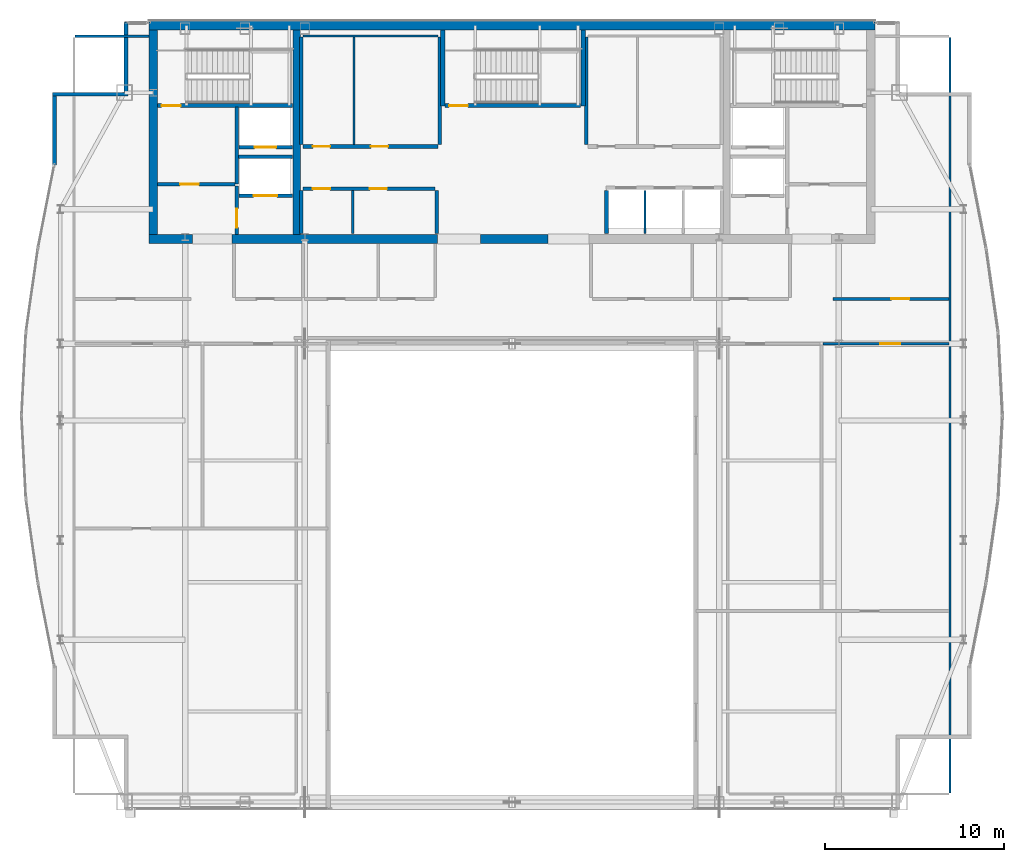
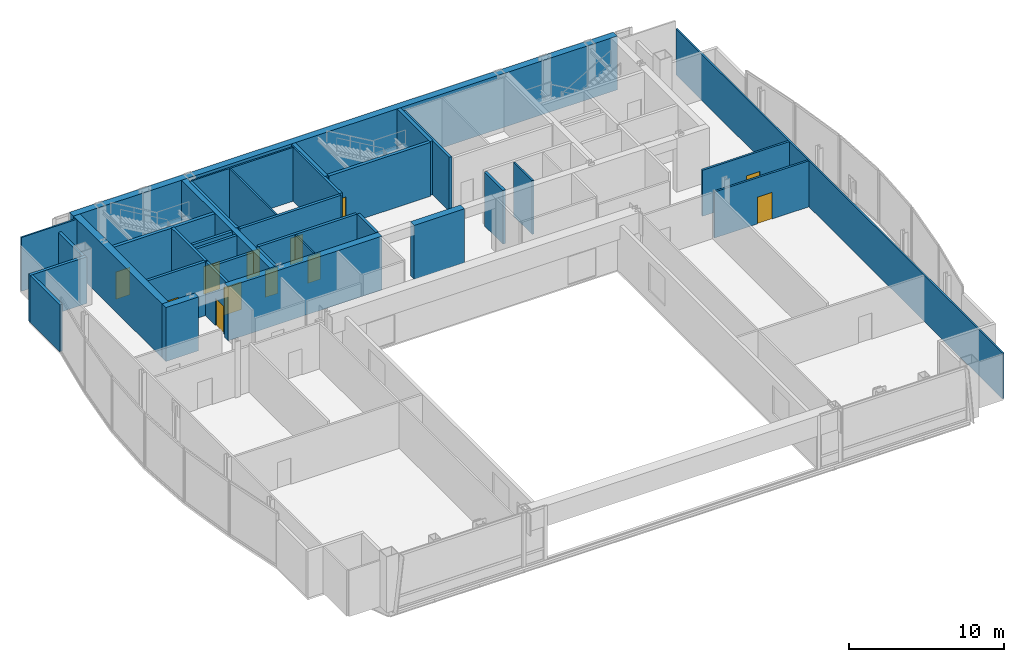
# One storey, part 23 of 27: 35 walls, 12 doors, 12 openings.
"""IFC4 building model written with IfcOpenShell, lengths in metres."""

from ifc_helpers import new_model, si_unit, direction, frame, frame_2d, origin, place, context, subcontext, project, spatial, rectangle, extrude, material, layer, layer_set, type_object, element, fill, save


model = new_model("IFC4")

# Units and contexts
model_context = context("Model", 3, precision=1e-05, world=origin(), true_north=direction((0.0, 1.0)))
body_context = subcontext(model_context, "Body", "Model", "MODEL_VIEW")
ifc_project = project(units=[si_unit("LENGTHUNIT", "METRE"), si_unit("AREAUNIT", "SQUARE_METRE"), si_unit("VOLUMEUNIT", "CUBIC_METRE"), si_unit("PLANEANGLEUNIT", "RADIAN"), si_unit("MASSUNIT", "GRAM", prefix="KILO")], contexts=[model_context])

# Site, building, storey
site_placement = place(None, origin())
site = spatial("IfcSite", under=ifc_project, at=site_placement, CompositionType="ELEMENT")
building_placement = place(site_placement, origin())
building = spatial("IfcBuilding", under=site, at=building_placement, Name="Khoronbel Lancet Exchange", CompositionType="ELEMENT")
storey_placement = place(building_placement, frame((0.0, 0.0, 310.199951171875)))
storey = spatial("IfcBuildingStorey", under=building, at=storey_placement, Name="L80", CompositionType="ELEMENT", Elevation=310.199951171875)

# Walls
ifc_material_1 = material(Name="Concrete C60/75", Category="concrete")
ifc_layer_1 = layer(ifc_material_1, 0.5, Name="Concrete C60/75")
ifc_layer_set_1 = layer_set([ifc_layer_1], Name="Concrete C60/75")
wall_type_1 = type_object("IfcWallType", Name="WL-CW4", PredefinedType="SHEAR", material=ifc_layer_set_1)
wall_1_placement = place(storey_placement, frame((16.199951171875, 53.449951171875, 0.0), z_axis=(0.0, 0.0, 1.0), x_axis=(1.0, 0.0, 0.0)))
element("IfcWall", 1, at=wall_1_placement, inside=storey, type_object=wall_type_1, Name="Level L80 rear core north shear wall", PredefinedType="SHEAR", context=body_context, shape_type="SweptSolid", body=[
    extrude(rectangle(XDim=40.5, YDim=0.5, at=frame_2d((20.25, 0.0))), origin(), (0.0, 0.0, 1.0), 4.239990234375),
])
wall_2_placement = place(storey_placement, frame((16.449951171875, 41.800048828125, 0.0), z_axis=(0.0, 0.0, 1.0), x_axis=(0.0, 1.0, 0.0)))
element("IfcWall", 2, at=wall_2_placement, inside=storey, type_object=wall_type_1, Name="Level L80 rear core west shear wall", PredefinedType="SHEAR", context=body_context, shape_type="SweptSolid", body=[
    extrude(rectangle(XDim=11.39990234375, YDim=0.5, at=frame_2d((5.699951171875, 0.0))), origin(), (0.0, 0.0, 1.0), 4.239990234375),
])
wall_3_placement = place(storey_placement, frame((18.64990234375, 41.550048828125, 0.0), z_axis=(0.0, 0.0, 1.0), x_axis=(-1.0, 0.0, 0.0)))
element("IfcWall", 3, at=wall_3_placement, inside=storey, type_object=wall_type_1, Name="Level L80 rear core south shear wall pier P1", PredefinedType="SHEAR", context=body_context, shape_type="SweptSolid", body=[
    extrude(rectangle(XDim=2.449951171875, YDim=0.5, at=frame_2d((1.22509765625, 0.0))), origin(), (0.0, 0.0, 1.0), 4.239990234375),
])
wall_4_placement = place(storey_placement, frame((32.300048828125, 41.550048828125, 0.0), z_axis=(0.0, 0.0, 1.0), x_axis=(-1.0, 0.0, 0.0)))
element("IfcWall", 4, at=wall_4_placement, inside=storey, type_object=wall_type_1, Name="Level L80 rear core south shear wall pier P2", PredefinedType="SHEAR", context=body_context, shape_type="SweptSolid", body=[
    extrude(rectangle(XDim=11.449951171875, YDim=0.5, at=frame_2d((5.72509765625, 0.0))), origin(), (0.0, 0.0, 1.0), 4.239990234375),
])
wall_5_placement = place(storey_placement, frame((38.449951171875, 41.550048828125, 0.0), z_axis=(0.0, 0.0, 1.0), x_axis=(-1.0, 0.0, 0.0)))
element("IfcWall", 5, at=wall_5_placement, inside=storey, type_object=wall_type_1, Name="Level L80 rear core south shear wall pier P3", PredefinedType="SHEAR", context=body_context, shape_type="SweptSolid", body=[
    extrude(rectangle(XDim=3.75, YDim=0.5, at=frame_2d((1.875, 0.0))), origin(), (0.0, 0.0, 1.0), 4.239990234375),
])
ifc_material_2 = material(Name="Precast concrete C40/50", Category="concrete")
ifc_layer_2 = layer(ifc_material_2, 0.25, Name="Precast concrete C40/50")
ifc_layer_set_2 = layer_set([ifc_layer_2], Name="Precast concrete C40/50")
wall_type_2 = type_object("IfcWallType", Name="WL-EXT250", PredefinedType="SOLIDWALL", material=ifc_layer_set_2)
wall_6_placement = place(storey_placement, frame((10.93994140625, 45.67138671875, 0.0), z_axis=(0.0, 0.0, 1.0), x_axis=(0.0, 1.0, 0.0)))
element("IfcWall", 6, at=wall_6_placement, inside=storey, type_object=wall_type_2, Name="Level L80 notched-corner limestone pier 10", PredefinedType="SOLIDWALL", context=body_context, shape_type="SweptSolid", body=[
    extrude(rectangle(XDim=3.82861328125, YDim=0.219970703125, at=frame_2d((1.914306640625, 0.0))), origin(), (0.0, 0.0, 1.0), 3.679931640625),
])
wall_7_placement = place(storey_placement, frame((10.830078125, 49.610107421875, 0.0), z_axis=(0.0, 0.0, 1.0), x_axis=(1.0, 0.0, 0.0)))
element("IfcWall", 7, at=wall_7_placement, inside=storey, type_object=wall_type_2, Name="Level L80 notched-corner limestone pier 11", PredefinedType="SOLIDWALL", context=body_context, shape_type="SweptSolid", body=[
    extrude(rectangle(XDim=4.219970703125, YDim=0.219970703125, at=frame_2d((2.10986328125, 0.0))), origin(), (0.0, 0.0, 1.0), 3.679931640625),
])
wall_8_placement = place(storey_placement, frame((14.93994140625, 49.719970703125, 0.0), z_axis=(0.0, 0.0, 1.0), x_axis=(0.0, 1.0, 0.0)))
element("IfcWall", 8, at=wall_8_placement, inside=storey, type_object=wall_type_2, Name="Level L80 notched-corner limestone pier 12", PredefinedType="SOLIDWALL", context=body_context, shape_type="SweptSolid", body=[
    extrude(rectangle(XDim=3.909912109375, YDim=0.219970703125, at=frame_2d((1.955078125, 0.0))), origin(), (0.0, 0.0, 1.0), 3.679931640625),
])
ifc_material_3 = material(Name="Acoustic Metal-Stud & Mineral-Wool Gypsum Partition 120 mm", Category="gypsum")
ifc_layer_3 = layer(ifc_material_3, 0.1201171875, Name="Acoustic Metal-Stud & Mineral-Wool Gypsum Partition 120 mm")
ifc_layer_set_3 = layer_set([ifc_layer_3], Name="Acoustic Metal-Stud & Mineral-Wool Gypsum Partition 120 mm")
wall_type_3 = type_object("IfcWallType", Name="WL-PRT120", PredefinedType="PARTITIONING", material=ifc_layer_set_3)
wall_9_placement = place(storey_placement, frame((60.8701171875, 10.6650390625, 0.0), z_axis=(0.0, 0.0, 1.0), x_axis=(0.0, 1.0, 0.0)))
element("IfcWall", 9, at=wall_9_placement, inside=storey, type_object=wall_type_3, Name="Level L80 interior partition PW-LIN-E", PredefinedType="PARTITIONING", context=body_context, shape_type="SweptSolid", body=[
    extrude(rectangle(XDim=42.10986328125, YDim=0.1201171875, at=frame_2d((21.054931640625, 0.0))), origin(), (0.0, 0.0, 1.0), 3.630126953125),
])
wall_10_placement = place(storey_placement, frame((12.094970703125, 52.840087890625, 0.0), z_axis=(0.0, 0.0, 1.0), x_axis=(1.0, 0.0, 0.0)))
element("IfcWall", 10, at=wall_10_placement, inside=storey, type_object=wall_type_3, Name="Level L80 interior partition PW-LIN-NW", PredefinedType="PARTITIONING", context=body_context, shape_type="SweptSolid", body=[
    extrude(rectangle(XDim=4.10498046875, YDim=0.1201171875, at=frame_2d((2.052490234375, 0.0))), origin(), (0.0, 0.0, 1.0), 4.239990234375),
])
ifc_material_4 = material(Name="Fire-Rated Metal-Stud & Mineral-Wool Gypsum Partition 120 mm", Category="gypsum")
ifc_layer_4 = layer(ifc_material_4, 0.1201171875, Name="Fire-Rated Metal-Stud & Mineral-Wool Gypsum Partition 120 mm")
ifc_layer_set_4 = layer_set([ifc_layer_4], Name="Fire-Rated Metal-Stud & Mineral-Wool Gypsum Partition 120 mm")
wall_type_4 = type_object("IfcWallType", Name="WL-PRT120F", PredefinedType="PARTITIONING", material=ifc_layer_set_4)
wall_11_placement = place(storey_placement, frame((24.804931640625, 52.860107421875, 0.0), z_axis=(0.0, 0.0, 1.0), x_axis=(1.0, 0.0, 0.0)))
element("IfcWall", 11, at=wall_11_placement, inside=storey, type_object=wall_type_4, Name="Level L80 interior partition CW-PL-RN", PredefinedType="PARTITIONING", context=body_context, shape_type="SweptSolid", body=[
    extrude(rectangle(XDim=7.510009765625, YDim=0.1201171875, at=frame_2d((3.7548828125, 0.0))), origin(), (0.0, 0.0, 1.0), 4.239990234375),
])
wall_12_placement = place(storey_placement, frame((27.633544921875, 46.804931640625, 0.0), z_axis=(0.0, 0.0, 1.0), x_axis=(0.0, 1.0, 0.0)))
element("IfcWall", 12, at=wall_12_placement, inside=storey, type_object=wall_type_4, Name="Level L80 interior partition CW-PL-RS1", PredefinedType="PARTITIONING", context=body_context, shape_type="SweptSolid", body=[
    extrude(rectangle(XDim=5.989990234375, YDim=0.1201171875, at=frame_2d((2.9951171875, 0.0))), origin(), (0.0, 0.0, 1.0), 4.239990234375),
])
wall_13_placement = place(storey_placement, frame((27.569091796875, 41.85009765625, 0.0), z_axis=(0.0, 0.0, 1.0), x_axis=(0.0, 1.0, 0.0)))
element("IfcWall", 13, at=wall_13_placement, inside=storey, type_object=wall_type_4, Name="Level L80 interior partition CW-PM-RS1", PredefinedType="PARTITIONING", context=body_context, shape_type="SweptSolid", body=[
    extrude(rectangle(XDim=2.39501953125, YDim=0.1201171875, at=frame_2d((1.197509765625, 0.0))), origin(), (0.0, 0.0, 1.0), 4.239990234375),
])
wall_14_placement = place(storey_placement, frame((43.860107421875, 41.85009765625, 0.0), z_axis=(0.0, 0.0, 1.0), x_axis=(0.0, 1.0, 0.0)))
element("IfcWall", 14, at=wall_14_placement, inside=storey, type_object=wall_type_4, Name="Level L80 interior partition CW-PX-D1", PredefinedType="PARTITIONING", context=body_context, shape_type="SweptSolid", body=[
    extrude(rectangle(XDim=2.39990234375, YDim=0.1201171875, at=frame_2d((1.199951171875, 0.0))), origin(), (0.0, 0.0, 1.0), 4.239990234375),
])

# Wall, opening, door
ifc_material_5 = material(Name="Fire-Rated Twin-Stud Acoustic Gypsum Partition 150 mm", Category="gypsum")
ifc_layer_5 = layer(ifc_material_5, 0.14990234375, Name="Fire-Rated Twin-Stud Acoustic Gypsum Partition 150 mm")
ifc_layer_set_5 = layer_set([ifc_layer_5], Name="Fire-Rated Twin-Stud Acoustic Gypsum Partition 150 mm")
wall_type_5 = type_object("IfcWallType", Name="WL-PRT150C", PredefinedType="PARTITIONING", material=ifc_layer_set_5)
wall_15_placement = place(storey_placement, frame((53.780029296875, 35.699951171875, 0.0), z_axis=(0.0, 0.0, 1.0), x_axis=(1.0, 0.0, 0.0)))
wall_15 = element("IfcWall", 15, at=wall_15_placement, inside=storey, type_object=wall_type_5, Name="Level L80 interior partition PW-WP-ES2", PredefinedType="PARTITIONING", context=body_context, shape_type="SweptSolid", body=[
    extrude(rectangle(XDim=7.02490234375, YDim=0.14990234375, at=frame_2d((3.512451171875, 0.0))), origin(), (0.0, 0.0, 1.0), 3.630126953125),
])
opening_1_placement = place(wall_15_placement, frame((3.199951171875, 0.0, 0.0)))
opening_1 = element("IfcOpeningElement", 16, at=opening_1_placement, cuts=wall_15, Name="Opening D6", PredefinedType="OPENING", context=body_context, shape_type="SweptSolid", body=[
    extrude(rectangle(XDim=1.10009765625, YDim=2.10009765625, at=frame_2d((0.550048828125, 1.050048828125))), frame((0.0, 0.0849609375, 0.0), z_axis=(0.0, -1.0, 0.0), x_axis=(1.0, 0.0, 0.0)), (0.0, 0.0, 1.0), 0.169921875),
])
ifc_material_6 = material(Name="Acoustic Bronze-Veneer Executive Suite Door", Category="wood")
door_type_1 = type_object("IfcDoorType", Name="DR-D6", OperationType="NOTDEFINED", PredefinedType="DOOR", material=ifc_material_6)
door_1_placement = place(opening_1_placement, origin())
door_1 = element("IfcDoor", 17, at=door_1_placement, inside=storey, type_object=door_type_1, Name="Portal east sovereign salon door L80-1", OperationType="SINGLE_SWING_RIGHT", OverallHeight=2.10009765625, OverallWidth=1.10009765625, PredefinedType="DOOR", context=body_context, shape_type="SweptSolid", body=[
    extrude(rectangle(XDim=1.10009765625, YDim=2.10009765625, at=frame_2d((0.550048828125, 1.050048828125))), frame((0.0, 0.02490234375, 0.0), z_axis=(0.0, -1.0, 0.0), x_axis=(1.0, 0.0, 0.0)), (0.0, 0.0, 1.0), 0.050048828125),
])
fill(opening_1, door_1)

wall_16_placement = place(storey_placement, frame((54.35009765625, 38.199951171875, 0.0), z_axis=(0.0, 0.0, 1.0), x_axis=(1.0, 0.0, 0.0)))
wall_16 = element("IfcWall", 18, at=wall_16_placement, inside=storey, type_object=wall_type_5, Name="Level L80 interior partition PW-WP-NE", PredefinedType="PARTITIONING", context=body_context, shape_type="SweptSolid", body=[
    extrude(rectangle(XDim=6.454833984375, YDim=0.14990234375, at=frame_2d((3.2275390625, 0.0))), origin(), (0.0, 0.0, 1.0), 3.630126953125),
])
opening_2_placement = place(wall_16_placement, frame((3.25, 0.0, 0.0)))
opening_2 = element("IfcOpeningElement", 19, at=opening_2_placement, cuts=wall_16, Name="Opening D2", PredefinedType="OPENING", context=body_context, shape_type="SweptSolid", body=[
    extrude(rectangle(XDim=1.0, YDim=2.050048828125, at=frame_2d((0.5, 1.02490234375))), frame((0.0, 0.0849609375, 0.0), z_axis=(0.0, -1.0, 0.0), x_axis=(1.0, 0.0, 0.0)), (0.0, 0.0, 1.0), 0.169921875),
])
ifc_material_7 = material(Name="Acoustic Veneered Timber & Bronze Frame Door", Category="wood")
door_type_2 = type_object("IfcDoorType", Name="DR-D2", OperationType="NOTDEFINED", PredefinedType="DOOR", material=ifc_material_7)
door_2_placement = place(opening_2_placement, origin())
door_2 = element("IfcDoor", 20, at=door_2_placement, inside=storey, type_object=door_type_2, Name="NE suite door L80-1", OperationType="SINGLE_SWING_RIGHT", OverallHeight=2.050048828125, OverallWidth=1.0, PredefinedType="DOOR", context=body_context, shape_type="SweptSolid", body=[
    extrude(rectangle(XDim=1.0, YDim=2.050048828125, at=frame_2d((0.5, 1.02490234375))), frame((0.0, 0.02490234375, 0.0), z_axis=(0.0, -1.0, 0.0), x_axis=(1.0, 0.0, 0.0)), (0.0, 0.0, 1.0), 0.050048828125),
])
fill(opening_2, door_2)

ifc_material_8 = material(Name="Autoclaved Aerated Concrete Blockwork 200 mm", Category="masonry")
ifc_layer_6 = layer(ifc_material_8, 0.199951171875, Name="Autoclaved Aerated Concrete Blockwork 200 mm")
ifc_layer_set_6 = layer_set([ifc_layer_6], Name="Autoclaved Aerated Concrete Blockwork 200 mm")
wall_type_6 = type_object("IfcWallType", Name="WL-PRT200", PredefinedType="PARTITIONING", material=ifc_layer_set_6)
wall_17_placement = place(storey_placement, frame((24.2099609375, 43.949951171875, 0.0), z_axis=(0.0, 0.0, 1.0), x_axis=(-1.0, 0.0, 0.0)))
wall_17 = element("IfcWall", 21, at=wall_17_placement, inside=storey, type_object=wall_type_6, Name="Level L80 elevator hoistway landing front wall SVLW", PredefinedType="PARTITIONING", context=body_context, shape_type="SweptSolid", body=[
    extrude(rectangle(XDim=2.969970703125, YDim=0.199951171875, at=frame_2d((1.48486328125, 0.0))), origin(), (0.0, 0.0, 1.0), 4.239990234375),
])
opening_3_placement = place(wall_17_placement, frame((0.860107421875, 0.0, 0.0)))
opening_3 = element("IfcOpeningElement", 22, at=opening_3_placement, cuts=wall_17, Name="Opening LD-SVL1", PredefinedType="OPENING", context=body_context, shape_type="SweptSolid", body=[
    extrude(rectangle(XDim=1.300048828125, YDim=2.179931640625, at=frame_2d((0.64990234375, 1.08984375))), frame((0.0, 0.10986328125, 0.0), z_axis=(0.0, -1.0, 0.0), x_axis=(1.0, 0.0, 0.0)), (0.0, 0.0, 1.0), 0.219970703125),
])
ifc_material_9 = material(Name="Heavy-Duty Bi-Parting Goods Lift Landing Door", Category="steel")
door_type_3 = type_object("IfcDoorType", Name="DR-LD-SVL", OperationType="NOTDEFINED", PredefinedType="DOOR", material=ifc_material_9)
door_3_placement = place(opening_3_placement, origin())
door_3 = element("IfcDoor", 23, at=door_3_placement, inside=storey, type_object=door_type_3, Name="Elevator landing sliding door LD-SVL1 L80", OperationType="SLIDING_TO_LEFT", OverallHeight=2.179931640625, OverallWidth=1.300048828125, PredefinedType="DOOR", context=body_context, shape_type="SweptSolid", body=[
    extrude(rectangle(XDim=1.300048828125, YDim=2.179931640625, at=frame_2d((0.64990234375, 1.08984375))), frame((0.0, 0.02490234375, 0.0), z_axis=(0.0, -1.0, 0.0), x_axis=(1.0, 0.0, 0.0)), (0.0, 0.0, 1.0), 0.050048828125),
])
fill(opening_3, door_3)

wall_18_placement = place(storey_placement, frame((24.2099609375, 46.64990234375, 0.0), z_axis=(0.0, 0.0, 1.0), x_axis=(-1.0, 0.0, 0.0)))
wall_18 = element("IfcWall", 24, at=wall_18_placement, inside=storey, type_object=wall_type_6, Name="Level L80 elevator hoistway landing front wall FFLW", PredefinedType="PARTITIONING", context=body_context, shape_type="SweptSolid", body=[
    extrude(rectangle(XDim=2.969970703125, YDim=0.199951171875, at=frame_2d((1.48486328125, 0.0))), origin(), (0.0, 0.0, 1.0), 4.239990234375),
])
opening_4_placement = place(wall_18_placement, frame((0.909912109375, 0.0, 0.0)))
opening_4 = element("IfcOpeningElement", 25, at=opening_4_placement, cuts=wall_18, Name="Opening LD-FFL1", PredefinedType="OPENING", context=body_context, shape_type="SweptSolid", body=[
    extrude(rectangle(XDim=1.199951171875, YDim=2.179931640625, at=frame_2d((0.60009765625, 1.08984375))), frame((0.0, 0.10986328125, 0.0), z_axis=(0.0, -1.0, 0.0), x_axis=(1.0, 0.0, 0.0)), (0.0, 0.0, 1.0), 0.219970703125),
])
ifc_material_10 = material(Name="Fire-Rated Stainless Bi-Parting Firefighting Lift Door", Category="steel")
door_type_4 = type_object("IfcDoorType", Name="DR-LD-FFL", OperationType="NOTDEFINED", PredefinedType="DOOR", material=ifc_material_10)
door_4_placement = place(opening_4_placement, origin())
door_4 = element("IfcDoor", 26, at=door_4_placement, inside=storey, type_object=door_type_4, Name="Elevator landing sliding door LD-FFL1 L80", OperationType="SLIDING_TO_LEFT", OverallHeight=2.179931640625, OverallWidth=1.199951171875, PredefinedType="DOOR", context=body_context, shape_type="SweptSolid", body=[
    extrude(rectangle(XDim=1.199951171875, YDim=2.179931640625, at=frame_2d((0.60009765625, 1.08984375))), frame((0.0, 0.02490234375, 0.0), z_axis=(0.0, -1.0, 0.0), x_axis=(1.0, 0.0, 0.0)), (0.0, 0.0, 1.0), 0.050048828125),
])
fill(opening_4, door_4)

# Wall
wall_19_placement = place(storey_placement, frame((21.10009765625, 44.60009765625, 0.0), z_axis=(0.0, 0.0, 1.0), x_axis=(0.0, 1.0, 0.0)))
element("IfcWall", 27, at=wall_19_placement, inside=storey, type_object=wall_type_6, Name="Level L80 interior partition CW-FFLW-E", PredefinedType="PARTITIONING", context=body_context, shape_type="SweptSolid", body=[
    extrude(rectangle(XDim=4.2998046875, YDim=0.199951171875, at=frame_2d((2.14990234375, 0.0))), origin(), (0.0, 0.0, 1.0), 4.239990234375),
])

# Wall, opening, door
wall_20_placement = place(storey_placement, frame((16.699951171875, 44.60009765625, 0.0), z_axis=(0.0, 0.0, 1.0), x_axis=(1.0, 0.0, 0.0)))
wall_20 = element("IfcWall", 28, at=wall_20_placement, inside=storey, type_object=wall_type_6, Name="Level L80 interior partition CW-FFLW-S", PredefinedType="PARTITIONING", context=body_context, shape_type="SweptSolid", body=[
    extrude(rectangle(XDim=4.300048828125, YDim=0.199951171875, at=frame_2d((2.14990234375, 0.0))), origin(), (0.0, 0.0, 1.0), 4.239990234375),
])
opening_5_placement = place(wall_20_placement, frame((1.25, 0.0, 0.0)))
opening_5 = element("IfcOpeningElement", 29, at=opening_5_placement, cuts=wall_20, Name="Opening FD1", PredefinedType="OPENING", context=body_context, shape_type="SweptSolid", body=[
    extrude(rectangle(XDim=1.050048828125, YDim=2.14990234375, at=frame_2d((0.52490234375, 1.074951171875))), frame((0.0, 0.10986328125, 0.0), z_axis=(0.0, -1.0, 0.0), x_axis=(1.0, 0.0, 0.0)), (0.0, 0.0, 1.0), 0.219970703125),
])
ifc_material_11 = material(Name="Fire-Rated Painted Steel Door Assembly", Category="steel")
door_type_5 = type_object("IfcDoorType", Name="DR-FD1", OperationType="NOTDEFINED", PredefinedType="DOOR", material=ifc_material_11)
door_5_placement = place(opening_5_placement, origin())
door_5 = element("IfcDoor", 30, at=door_5_placement, inside=storey, type_object=door_type_5, Name="West firefighting lobby FD90S door L80-1", OperationType="SINGLE_SWING_RIGHT", OverallHeight=2.14990234375, OverallWidth=1.050048828125, PredefinedType="DOOR", context=body_context, shape_type="SweptSolid", body=[
    extrude(rectangle(XDim=1.050048828125, YDim=2.14990234375, at=frame_2d((0.52490234375, 1.074951171875))), frame((0.0, 0.02490234375, 0.0), z_axis=(0.0, -1.0, 0.0), x_axis=(1.0, 0.0, 0.0)), (0.0, 0.0, 1.0), 0.050048828125),
])
fill(opening_5, door_5)

# Wall
wall_21_placement = place(storey_placement, frame((21.199951171875, 46.1201171875, 0.0), z_axis=(0.0, 0.0, 1.0), x_axis=(1.0, 0.0, 0.0)))
element("IfcWall", 31, at=wall_21_placement, inside=storey, type_object=wall_type_6, Name="Level L80 interior partition CW-FFL1-S", PredefinedType="PARTITIONING", context=body_context, shape_type="SweptSolid", body=[
    extrude(rectangle(XDim=3.02001953125, YDim=0.199951171875, at=frame_2d((1.510009765625, 0.0))), origin(), (0.0, 0.0, 1.0), 4.239990234375),
])

# Wall, opening, door
wall_22_placement = place(storey_placement, frame((21.10009765625, 41.800048828125, 0.0), z_axis=(0.0, 0.0, 1.0), x_axis=(0.0, 1.0, 0.0)))
wall_22 = element("IfcWall", 32, at=wall_22_placement, inside=storey, type_object=wall_type_6, Name="Level L80 interior partition CW-SVLW-W", PredefinedType="PARTITIONING", context=body_context, shape_type="SweptSolid", body=[
    extrude(rectangle(XDim=2.695068359375, YDim=0.199951171875, at=frame_2d((1.34765625, 0.0))), origin(), (0.0, 0.0, 1.0), 4.239990234375),
])
opening_6_placement = place(wall_22_placement, frame((0.3798828125, 0.0, 0.0)))
opening_6 = element("IfcOpeningElement", 33, at=opening_6_placement, cuts=wall_22, Name="Opening FD1", PredefinedType="OPENING", context=body_context, shape_type="SweptSolid", body=[
    extrude(rectangle(XDim=1.050048828125, YDim=2.14990234375, at=frame_2d((0.52490234375, 1.074951171875))), frame((0.0, 0.10986328125, 0.0), z_axis=(0.0, -1.0, 0.0), x_axis=(1.0, 0.0, 0.0)), (0.0, 0.0, 1.0), 0.219970703125),
])
door_6_placement = place(opening_6_placement, origin())
door_6 = element("IfcDoor", 34, at=door_6_placement, inside=storey, type_object=door_type_5, Name="West service lift lobby door L80-1", OperationType="SINGLE_SWING_LEFT", OverallHeight=2.14990234375, OverallWidth=1.050048828125, PredefinedType="DOOR", context=body_context, shape_type="SweptSolid", body=[
    extrude(rectangle(XDim=1.050048828125, YDim=2.14990234375, at=frame_2d((0.52490234375, 1.074951171875))), frame((0.0, 0.02490234375, 0.0), z_axis=(0.0, -1.0, 0.0), x_axis=(1.0, 0.0, 0.0)), (0.0, 0.0, 1.0), 0.050048828125),
])
fill(opening_6, door_6)

# Walls
for number, where, z_axis, x_axis, name in (
    (35, (24.699951171875, 46.804931640625, 0.0), (0.0, 0.0, 1.0), (0.0, 1.0, 0.0), "Level L80 interior partition CW-PL-RW"),
    (36, (32.419921875, 46.804931640625, 0.0), (0.0, 0.0, 1.0), (0.0, 1.0, 0.0), "Level L80 interior partition CW-PL-RE"),
):
    element("IfcWall", number, at=place(storey_placement, frame(where, z_axis=z_axis, x_axis=x_axis)), inside=storey, type_object=wall_type_6, Name=name, PredefinedType="PARTITIONING", context=body_context, shape_type="SweptSolid", body=[
        extrude(rectangle(XDim=5.989990234375, YDim=0.199951171875, at=frame_2d((2.9951171875, 0.0))), origin(), (0.0, 0.0, 1.0), 4.239990234375),
    ])

# Wall, openings, doors
wall_23_placement = place(storey_placement, frame((24.804931640625, 46.699951171875, 0.0), z_axis=(0.0, 0.0, 1.0), x_axis=(1.0, 0.0, 0.0)))
wall_23 = element("IfcWall", 37, at=wall_23_placement, inside=storey, type_object=wall_type_6, Name="Level L80 interior partition CW-PL-RF", PredefinedType="PARTITIONING", context=body_context, shape_type="SweptSolid", body=[
    extrude(rectangle(XDim=7.510009765625, YDim=0.199951171875, at=frame_2d((3.7548828125, 0.0))), origin(), (0.0, 0.0, 1.0), 4.239990234375),
])
opening_7_placement = place(wall_23_placement, frame((0.550048828125, 0.0, 0.0)))
opening_7 = element("IfcOpeningElement", 38, at=opening_7_placement, cuts=wall_23, Name="Opening FD3", PredefinedType="OPENING", context=body_context, shape_type="SweptSolid", body=[
    extrude(rectangle(XDim=0.949951171875, YDim=2.10009765625, at=frame_2d((0.47509765625, 1.050048828125))), frame((0.0, 0.10986328125, 0.0), z_axis=(0.0, -1.0, 0.0), x_axis=(1.0, 0.0, 0.0)), (0.0, 0.0, 1.0), 0.219970703125),
])
opening_8_placement = place(wall_23_placement, frame((3.78369140625, 0.0, 0.0)))
opening_8 = element("IfcOpeningElement", 39, at=opening_8_placement, cuts=wall_23, Name="Opening FD3", PredefinedType="OPENING", context=body_context, shape_type="SweptSolid", body=[
    extrude(rectangle(XDim=0.949951171875, YDim=2.10009765625, at=frame_2d((0.47509765625, 1.050048828125))), frame((0.0, 0.10986328125, 0.0), z_axis=(0.0, -1.0, 0.0), x_axis=(1.0, 0.0, 0.0)), (0.0, 0.0, 1.0), 0.219970703125),
])
ifc_material_12 = material(Name="Fire-Rated Steel Plant & Riser Door Assembly", Category="steel")
door_type_6 = type_object("IfcDoorType", Name="DR-FD3", OperationType="NOTDEFINED", PredefinedType="DOOR", material=ifc_material_12)
door_7_placement = place(opening_7_placement, origin())
door_7 = element("IfcDoor", 40, at=door_7_placement, inside=storey, type_object=door_type_6, Name="Reclaimed PL A door L80-1", OperationType="SINGLE_SWING_RIGHT", OverallHeight=2.10009765625, OverallWidth=0.949951171875, PredefinedType="DOOR", context=body_context, shape_type="SweptSolid", body=[
    extrude(rectangle(XDim=0.949951171875, YDim=2.10009765625, at=frame_2d((0.47509765625, 1.050048828125))), frame((0.0, 0.02490234375, 0.0), z_axis=(0.0, -1.0, 0.0), x_axis=(1.0, 0.0, 0.0)), (0.0, 0.0, 1.0), 0.050048828125),
])
fill(opening_7, door_7)
door_8_placement = place(opening_8_placement, origin())
door_8 = element("IfcDoor", 41, at=door_8_placement, inside=storey, type_object=door_type_6, Name="Reclaimed PL B door L80-2", OperationType="SINGLE_SWING_LEFT", OverallHeight=2.10009765625, OverallWidth=0.949951171875, PredefinedType="DOOR", context=body_context, shape_type="SweptSolid", body=[
    extrude(rectangle(XDim=0.949951171875, YDim=2.10009765625, at=frame_2d((0.47509765625, 1.050048828125))), frame((0.0, 0.02490234375, 0.0), z_axis=(0.0, -1.0, 0.0), x_axis=(1.0, 0.0, 0.0)), (0.0, 0.0, 1.0), 0.050048828125),
])
fill(opening_8, door_8)

# Walls
for number, where, z_axis, x_axis, name in (
    (42, (24.699951171875, 41.85009765625, 0.0), (0.0, 0.0, 1.0), (0.0, 1.0, 0.0), "Level L80 interior partition CW-PM-RW"),
    (43, (32.25, 41.85009765625, 0.0), (0.0, 0.0, 1.0), (0.0, 1.0, 0.0), "Level L80 interior partition CW-PM-RE"),
):
    element("IfcWall", number, at=place(storey_placement, frame(where, z_axis=z_axis, x_axis=x_axis)), inside=storey, type_object=wall_type_6, Name=name, PredefinedType="PARTITIONING", context=body_context, shape_type="SweptSolid", body=[
        extrude(rectangle(XDim=2.39501953125, YDim=0.199951171875, at=frame_2d((1.197509765625, 0.0))), origin(), (0.0, 0.0, 1.0), 4.239990234375),
    ])

# Wall, openings, doors
wall_24_placement = place(storey_placement, frame((24.804931640625, 44.35009765625, 0.0), z_axis=(0.0, 0.0, 1.0), x_axis=(1.0, 0.0, 0.0)))
wall_24 = element("IfcWall", 44, at=wall_24_placement, inside=storey, type_object=wall_type_6, Name="Level L80 interior partition CW-PM-RF", PredefinedType="PARTITIONING", context=body_context, shape_type="SweptSolid", body=[
    extrude(rectangle(XDim=7.340087890625, YDim=0.199951171875, at=frame_2d((3.669921875, 0.0))), origin(), (0.0, 0.0, 1.0), 4.239990234375),
])
opening_9_placement = place(wall_24_placement, frame((0.550048828125, 0.0, 0.0)))
opening_9 = element("IfcOpeningElement", 45, at=opening_9_placement, cuts=wall_24, Name="Opening FD3", PredefinedType="OPENING", context=body_context, shape_type="SweptSolid", body=[
    extrude(rectangle(XDim=0.949951171875, YDim=2.10009765625, at=frame_2d((0.47509765625, 1.050048828125))), frame((0.0, 0.10986328125, 0.0), z_axis=(0.0, -1.0, 0.0), x_axis=(1.0, 0.0, 0.0)), (0.0, 0.0, 1.0), 0.219970703125),
])
opening_10_placement = place(wall_24_placement, frame((3.718994140625, 0.0, 0.0)))
opening_10 = element("IfcOpeningElement", 46, at=opening_10_placement, cuts=wall_24, Name="Opening FD3", PredefinedType="OPENING", context=body_context, shape_type="SweptSolid", body=[
    extrude(rectangle(XDim=0.949951171875, YDim=2.10009765625, at=frame_2d((0.47509765625, 1.050048828125))), frame((0.0, 0.10986328125, 0.0), z_axis=(0.0, -1.0, 0.0), x_axis=(1.0, 0.0, 0.0)), (0.0, 0.0, 1.0), 0.219970703125),
])
door_9_placement = place(opening_9_placement, origin())
door_9 = element("IfcDoor", 47, at=door_9_placement, inside=storey, type_object=door_type_6, Name="Reclaimed PM A door L80-1", OperationType="SINGLE_SWING_RIGHT", OverallHeight=2.10009765625, OverallWidth=0.949951171875, PredefinedType="DOOR", context=body_context, shape_type="SweptSolid", body=[
    extrude(rectangle(XDim=0.949951171875, YDim=2.10009765625, at=frame_2d((0.47509765625, 1.050048828125))), frame((0.0, 0.02490234375, 0.0), z_axis=(0.0, -1.0, 0.0), x_axis=(1.0, 0.0, 0.0)), (0.0, 0.0, 1.0), 0.050048828125),
])
fill(opening_9, door_9)
door_10_placement = place(opening_10_placement, origin())
door_10 = element("IfcDoor", 48, at=door_10_placement, inside=storey, type_object=door_type_6, Name="Reclaimed PM B door L80-2", OperationType="SINGLE_SWING_LEFT", OverallHeight=2.10009765625, OverallWidth=0.949951171875, PredefinedType="DOOR", context=body_context, shape_type="SweptSolid", body=[
    extrude(rectangle(XDim=0.949951171875, YDim=2.10009765625, at=frame_2d((0.47509765625, 1.050048828125))), frame((0.0, 0.02490234375, 0.0), z_axis=(0.0, -1.0, 0.0), x_axis=(1.0, 0.0, 0.0)), (0.0, 0.0, 1.0), 0.050048828125),
])
fill(opening_10, door_10)

# Walls
wall_25_placement = place(storey_placement, frame((40.580078125, 46.804931640625, 0.0), z_axis=(0.0, 0.0, 1.0), x_axis=(0.0, 1.0, 0.0)))
element("IfcWall", 49, at=wall_25_placement, inside=storey, type_object=wall_type_6, Name="Level L80 interior partition CW-PH-RW", PredefinedType="PARTITIONING", context=body_context, shape_type="SweptSolid", body=[
    extrude(rectangle(XDim=5.989990234375, YDim=0.199951171875, at=frame_2d((2.9951171875, 0.0))), origin(), (0.0, 0.0, 1.0), 4.239990234375),
])
wall_26_placement = place(storey_placement, frame((41.719970703125, 41.85009765625, 0.0), z_axis=(0.0, 0.0, 1.0), x_axis=(0.0, 1.0, 0.0)))
element("IfcWall", 50, at=wall_26_placement, inside=storey, type_object=wall_type_6, Name="Level L80 interior partition CW-PX-W", PredefinedType="PARTITIONING", context=body_context, shape_type="SweptSolid", body=[
    extrude(rectangle(XDim=2.39990234375, YDim=0.199951171875, at=frame_2d((1.199951171875, 0.0))), origin(), (0.0, 0.0, 1.0), 4.239990234375),
])
ifc_layer_7 = layer(ifc_material_1, 0.39990234375, Name="Concrete C60/75")
ifc_layer_set_7 = layer_set([ifc_layer_7], Name="Concrete C60/75")
wall_type_7 = type_object("IfcWallType", Name="WL-SW2", PredefinedType="SHEAR", material=ifc_layer_set_7)
wall_27_placement = place(storey_placement, frame((24.449951171875, 41.800048828125, 0.0), z_axis=(0.0, 0.0, 1.0), x_axis=(0.0, 1.0, 0.0)))
element("IfcWall", 51, at=wall_27_placement, inside=storey, type_object=wall_type_7, Name="Level L80 rear core internal spine shear wall IW", PredefinedType="SHEAR", context=body_context, shape_type="SweptSolid", body=[
    extrude(rectangle(XDim=11.39990234375, YDim=0.39990234375, at=frame_2d((5.699951171875, 0.0))), origin(), (0.0, 0.0, 1.0), 4.239990234375),
])
ifc_layer_8 = layer(ifc_material_1, 0.260009765625, Name="Concrete C60/75")
ifc_layer_set_8 = layer_set([ifc_layer_8], Name="Concrete C60/75")
wall_type_8 = type_object("IfcWallType", Name="WL-SW3", PredefinedType="SHEAR", material=ifc_layer_set_8)
for number, where, z_axis, x_axis, name in (
    (52, (32.580078125, 48.949951171875, 0.0), (0.0, 0.0, 1.0), (0.0, 1.0, 0.0), "Level L80 central stairwell structural shear wall ST3W"),
    (53, (40.419921875, 48.949951171875, 0.0), (0.0, 0.0, 1.0), (0.0, 1.0, 0.0), "Level L80 central stairwell structural shear wall ST3E"),
):
    element("IfcWall", number, at=place(storey_placement, frame(where, z_axis=z_axis, x_axis=x_axis)), inside=storey, type_object=wall_type_8, Name=name, PredefinedType="SHEAR", context=body_context, shape_type="SweptSolid", body=[
        extrude(rectangle(XDim=4.25, YDim=0.260009765625, at=frame_2d((2.125, 0.0))), origin(), (0.0, 0.0, 1.0), 4.239990234375),
    ])

# Wall, opening, door
wall_28_placement = place(storey_placement, frame((16.699951171875, 48.97998046875, 0.0), z_axis=(0.0, 0.0, 1.0), x_axis=(1.0, 0.0, 0.0)))
wall_28 = element("IfcWall", 54, at=wall_28_placement, inside=storey, type_object=wall_type_8, Name="Level L80 west stairwell structural south wall", PredefinedType="SHEAR", context=body_context, shape_type="SweptSolid", body=[
    extrude(rectangle(XDim=7.52001953125, YDim=0.239990234375, at=frame_2d((3.760009765625, 0.0))), origin(), (0.0, 0.0, 1.0), 4.239990234375),
])
opening_11_placement = place(wall_28_placement, frame((0.219970703125, 0.0, 0.0)))
opening_11 = element("IfcOpeningElement", 55, at=opening_11_placement, cuts=wall_28, Name="Opening SD1", PredefinedType="OPENING", context=body_context, shape_type="SweptSolid", body=[
    extrude(rectangle(XDim=1.050048828125, YDim=2.14990234375, at=frame_2d((0.52490234375, 1.074951171875))), frame((0.0, 0.1298828125, 0.0), z_axis=(0.0, -1.0, 0.0), x_axis=(1.0, 0.0, 0.0)), (0.0, 0.0, 1.0), 0.260009765625),
])
ifc_material_13 = material(Name="Fire-Rated Steel Stairwell Door Assembly", Category="steel")
door_type_7 = type_object("IfcDoorType", Name="DR-SD1", OperationType="NOTDEFINED", PredefinedType="DOOR", material=ifc_material_13)
door_11_placement = place(opening_11_placement, origin())
door_11 = element("IfcDoor", 56, at=door_11_placement, inside=storey, type_object=door_type_7, Name="Protected exit stair ST1 door L80", OperationType="SINGLE_SWING_LEFT", OverallHeight=2.14990234375, OverallWidth=1.050048828125, PredefinedType="DOOR", context=body_context, shape_type="SweptSolid", body=[
    extrude(rectangle(XDim=1.050048828125, YDim=2.14990234375, at=frame_2d((0.52490234375, 1.074951171875))), frame((0.0, 0.02490234375, 0.0), z_axis=(0.0, -1.0, 0.0), x_axis=(1.0, 0.0, 0.0)), (0.0, 0.0, 1.0), 0.050048828125),
])
fill(opening_11, door_11)

wall_29_placement = place(storey_placement, frame((32.719970703125, 48.97998046875, 0.0), z_axis=(0.0, 0.0, 1.0), x_axis=(1.0, 0.0, 0.0)))
wall_29 = element("IfcWall", 57, at=wall_29_placement, inside=storey, type_object=wall_type_8, Name="Level L80 central stairwell structural south wall", PredefinedType="SHEAR", context=body_context, shape_type="SweptSolid", body=[
    extrude(rectangle(XDim=7.56005859375, YDim=0.239990234375, at=frame_2d((3.780029296875, 0.0))), origin(), (0.0, 0.0, 1.0), 4.239990234375),
])
opening_12_placement = place(wall_29_placement, frame((0.219970703125, 0.0, 0.0)))
opening_12 = element("IfcOpeningElement", 58, at=opening_12_placement, cuts=wall_29, Name="Opening SD1", PredefinedType="OPENING", context=body_context, shape_type="SweptSolid", body=[
    extrude(rectangle(XDim=1.050048828125, YDim=2.14990234375, at=frame_2d((0.52490234375, 1.074951171875))), frame((0.0, 0.1298828125, 0.0), z_axis=(0.0, -1.0, 0.0), x_axis=(1.0, 0.0, 0.0)), (0.0, 0.0, 1.0), 0.260009765625),
])
door_12_placement = place(opening_12_placement, origin())
door_12 = element("IfcDoor", 59, at=door_12_placement, inside=storey, type_object=door_type_7, Name="Protected exit stair ST3 door L80", OperationType="SINGLE_SWING_LEFT", OverallHeight=2.14990234375, OverallWidth=1.050048828125, PredefinedType="DOOR", context=body_context, shape_type="SweptSolid", body=[
    extrude(rectangle(XDim=1.050048828125, YDim=2.14990234375, at=frame_2d((0.52490234375, 1.074951171875))), frame((0.0, 0.02490234375, 0.0), z_axis=(0.0, -1.0, 0.0), x_axis=(1.0, 0.0, 0.0)), (0.0, 0.0, 1.0), 0.050048828125),
])
fill(opening_12, door_12)

save(model, "model.ifc")
